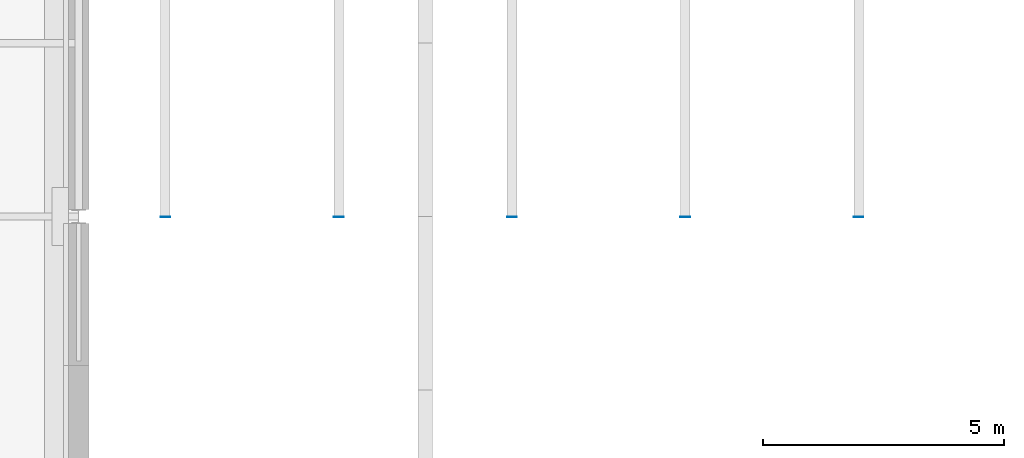
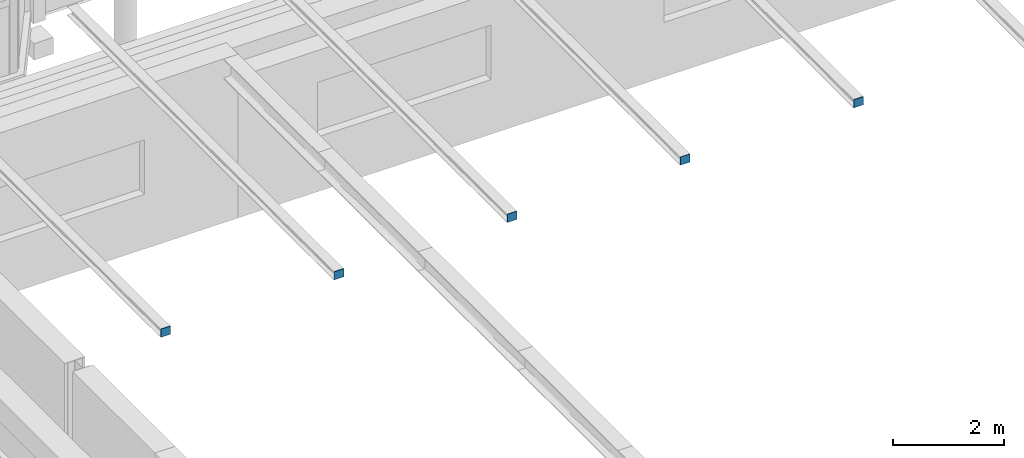
# One storey, part 55 of 110: 5 discrete accessories.
"""IFC4 building model written with IfcOpenShell, lengths in metres."""

from ifc_helpers import new_model, si_unit, direction, frame, origin, origin_2d, place, context, subcontext, project, spatial, rectangle, extrude, material, layer, layer_set, type_object, element, save


model = new_model("IFC4")

# Units and contexts
model_context = context("Model", 3, precision=1e-05, world=origin(), true_north=direction((0.0, 1.0)))
body_context = subcontext(model_context, "Body", "Model", "MODEL_VIEW")
ifc_project = project(units=[si_unit("LENGTHUNIT", "METRE"), si_unit("AREAUNIT", "SQUARE_METRE"), si_unit("VOLUMEUNIT", "CUBIC_METRE"), si_unit("PLANEANGLEUNIT", "RADIAN"), si_unit("MASSUNIT", "GRAM", prefix="KILO")], contexts=[model_context])

# Site, building, storey
site_placement = place(None, origin())
site = spatial("IfcSite", under=ifc_project, at=site_placement, CompositionType="ELEMENT")
building_placement = place(site_placement, origin())
building = spatial("IfcBuilding", under=site, at=building_placement, Name="Kupolbacken Congress Centre", CompositionType="ELEMENT")
storey_placement = place(building_placement, frame((0.0, 0.0, 18.0)))
storey = spatial("IfcBuildingStorey", under=building, at=storey_placement, Name="L05", CompositionType="ELEMENT", Elevation=18.0)

# Discrete accessories
ifc_material = material(Name="Steel S355", Category="steel")
ifc_layer = layer(ifc_material, 0.011962890625)
ifc_layer_set = layer_set([ifc_layer], Name="Steel S355")
discrete_accessory_type = type_object("IfcDiscreteAccessoryType", Name="BK3 bracket end plate 200 x 180 x 12", PredefinedType="BRACKET", material=ifc_layer_set)
for number, where, z_axis, x_axis, name in (
    (1, (88.199951171875, 107.993896484375, 3.60009765625), (0.0, 0.0, 1.0), (1.0, 0.0, 0.0), "Eave bracket end plate N01"),
    (2, (91.800048828125, 107.993896484375, 3.60009765625), (0.0, 0.0, 1.0), (1.0, 0.0, 0.0), "Eave bracket end plate N02"),
    (3, (95.39990234375, 107.993896484375, 3.60009765625), (0.0, 0.0, 1.0), (1.0, 0.0, 0.0), "Eave bracket end plate N03"),
    (4, (99.0, 107.993896484375, 3.60009765625), (0.0, 0.0, 1.0), (1.0, 0.0, 0.0), "Eave bracket end plate N04"),
    (5, (102.60009765625, 107.993896484375, 3.60009765625), (0.0, 0.0, 1.0), (1.0, 0.0, 0.0), "Eave bracket end plate N05"),
):
    element("IfcDiscreteAccessory", number, at=place(storey_placement, frame(where, z_axis=z_axis, x_axis=x_axis)), inside=storey, type_object=discrete_accessory_type, Name=name, PredefinedType="BRACKET", context=body_context, shape_type="SweptSolid", body=[
        extrude(rectangle(XDim=0.199951171875, YDim=0.011962890625, at=origin_2d()), origin(), (0.0, 0.0, 1.0), 0.179931640625),
    ])

save(model, "model.ifc")
